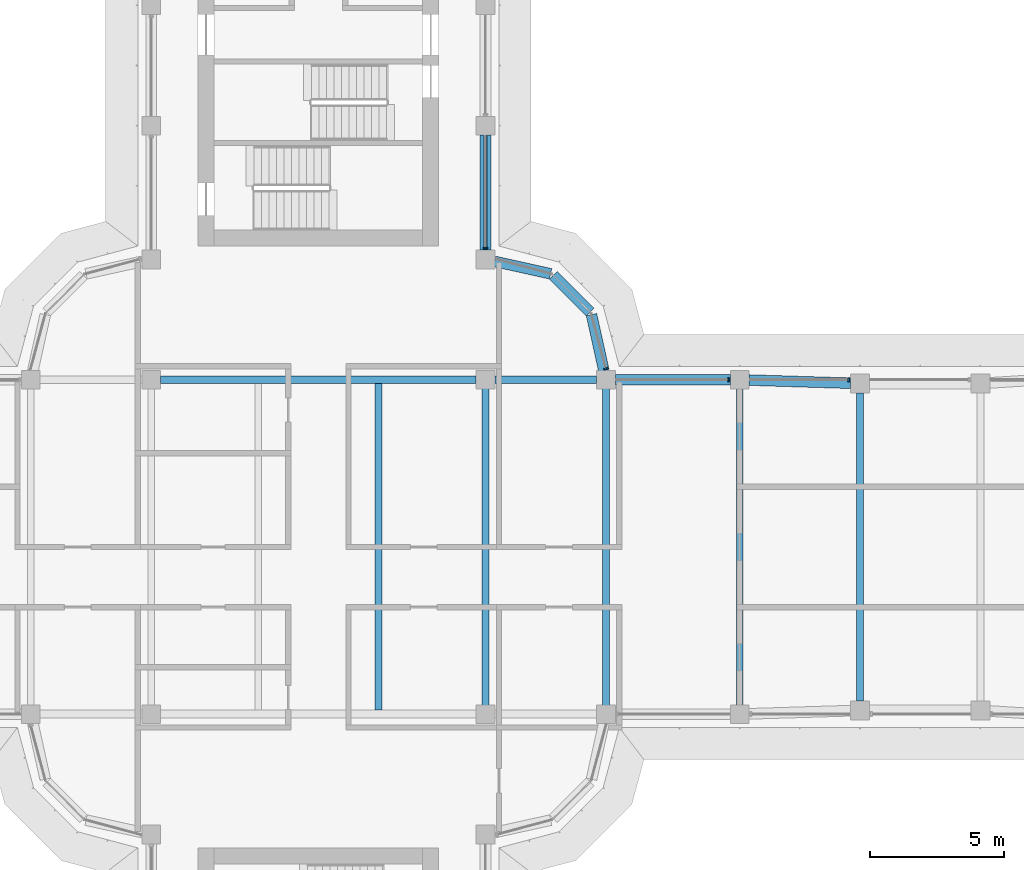
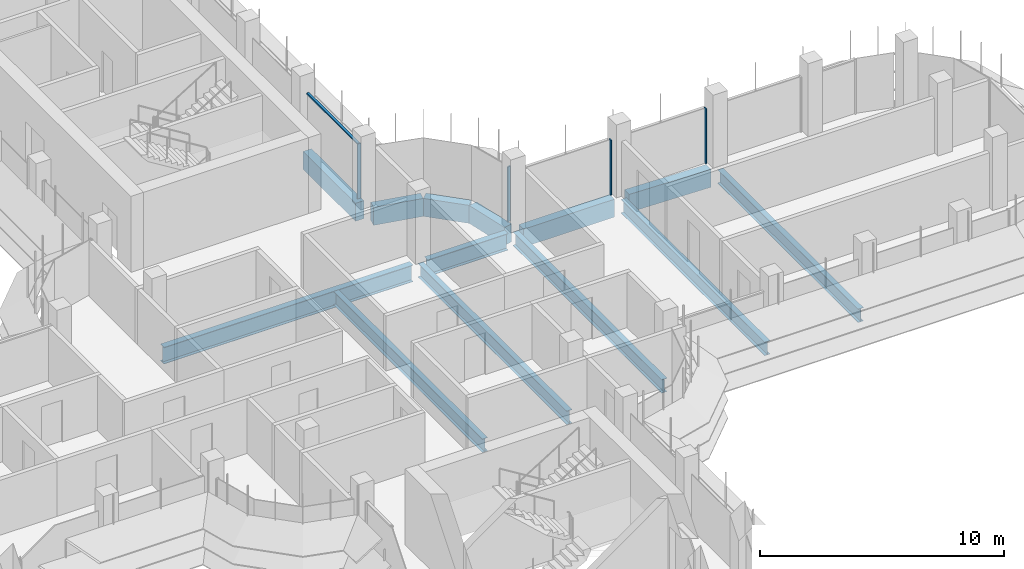
# One storey, part 8 of 19: 13 beams, 5 members, 3 elements without a shape of their own.
"""IFC4 building model written with IfcOpenShell, lengths in metres."""

from ifc_helpers import new_model, si_unit, direction, frame, origin, origin_2d, place, context, subcontext, project, spatial, polyline, rectangle, i_section, outline, extrude, source, transform, mapped, material, material_profile, profile_set, type_object, element, aggregate, save


model = new_model("IFC4")

# Units and contexts
model_context = context("Model", 3, precision=1e-05, world=origin(), true_north=direction((0.0, 1.0)))
body_context = subcontext(model_context, "Body", "Model", "MODEL_VIEW")
ifc_project = project(units=[si_unit("LENGTHUNIT", "METRE"), si_unit("AREAUNIT", "SQUARE_METRE"), si_unit("VOLUMEUNIT", "CUBIC_METRE"), si_unit("PLANEANGLEUNIT", "RADIAN"), si_unit("MASSUNIT", "GRAM", prefix="KILO")], contexts=[model_context])

# Site, building, storey
site_placement = place(None, origin())
site = spatial("IfcSite", under=ifc_project, at=site_placement, CompositionType="ELEMENT")
building_placement = place(site_placement, origin())
building = spatial("IfcBuilding", under=site, at=building_placement, Name="Zarbagh Exchange Tower", CompositionType="ELEMENT")
storey_placement = place(building_placement, frame((0.0, 0.0, 203.0)))
storey = spatial("IfcBuildingStorey", under=building, at=storey_placement, Name="L49", CompositionType="ELEMENT", Elevation=203.0)

# Beams
ifc_material_1 = material(Name="Steel ASTM A992 Gr 50", Category="steel")
ifc_material_profile_1 = material_profile(ifc_material_1, i_section(OverallWidth=0.25390625, OverallDepth=0.67822265625, WebThickness=0.01171875, FlangeThickness=0.016357421875, at=origin_2d()), Name="W27X84")
ifc_profile_set_1 = profile_set([ifc_material_profile_1], Name="Steel ASTM A992 Gr 50")
beam_type_1 = type_object("IfcBeamType", Name="Floor beam W27X84", PredefinedType="BEAM", material=ifc_profile_set_1)
for number, where, z_axis, x_axis, name in (
    (1, (2.25, -6.10400390625, -0.489013671875), (0.0, 1.0, 0.0), (-1.0, 0.0, 0.0), "Steel floor beam"),
    (2, (6.25, -6.10400390625, -0.489013671875), (0.0, 1.0, 0.0), (-1.0, 0.0, 0.0), "Steel floor beam"),
    (3, (10.75, -6.10400390625, -0.489013671875), (0.0, 1.0, 0.0), (-1.0, 0.0, 0.0), "Steel floor beam"),
):
    element("IfcBeam", number, at=place(storey_placement, frame(where, z_axis=z_axis, x_axis=x_axis)), inside=storey, type_object=beam_type_1, Name=name, PredefinedType="BEAM", context=body_context, shape_type="SweptSolid", body=[
        extrude(i_section(OverallWidth=0.25390625, OverallDepth=0.67822265625, WebThickness=0.01171875, FlangeThickness=0.016357421875, at=origin_2d()), origin(), (0.0, 0.0, 1.0), 12.2080078125),
    ])
beam_1_placement = place(storey_placement, frame((15.75, -5.89990234375, -0.489013671875), z_axis=(0.0, 1.0, 0.0), x_axis=(-1.0, 0.0, 0.0)))
element("IfcBeam", 4, at=beam_1_placement, inside=storey, type_object=beam_type_1, Name="Steel floor beam", PredefinedType="BEAM", context=body_context, shape_type="SweptSolid", body=[
    extrude(i_section(OverallWidth=0.25390625, OverallDepth=0.67822265625, WebThickness=0.01171875, FlangeThickness=0.016357421875, at=origin_2d()), origin(), (0.0, 0.0, 1.0), 11.7998046875),
])
beam_2_placement = place(storey_placement, frame((20.25, -5.760009765625, -0.489013671875), z_axis=(0.0, 1.0, 0.0), x_axis=(-1.0, 0.0, 0.0)))
element("IfcBeam", 5, at=beam_2_placement, inside=storey, type_object=beam_type_1, Name="Steel floor beam", PredefinedType="BEAM", context=body_context, shape_type="SweptSolid", body=[
    extrude(i_section(OverallWidth=0.25390625, OverallDepth=0.67822265625, WebThickness=0.01171875, FlangeThickness=0.016357421875, at=origin_2d()), origin(), (0.0, 0.0, 1.0), 11.52001953125),
])
ifc_material_profile_2 = material_profile(ifc_material_1, i_section(OverallWidth=0.2919921875, OverallDepth=0.835693359375, WebThickness=0.013916015625, FlangeThickness=0.018798828125, at=origin_2d()), Name="W33X118")
ifc_profile_set_2 = profile_set([ifc_material_profile_2], Name="Steel ASTM A992 Gr 50")
beam_type_2 = type_object("IfcBeamType", Name="Floor girder W33X118", PredefinedType="BEAM", material=ifc_profile_set_2)
beam_3_placement = place(storey_placement, frame((-5.89990234375, 6.25, -0.56787109375), z_axis=(1.0, 0.0, 0.0), x_axis=(0.0, 1.0, 0.0)))
element("IfcBeam", 6, at=beam_3_placement, inside=storey, type_object=beam_type_2, Name="Steel girder", PredefinedType="BEAM", context=body_context, shape_type="SweptSolid", body=[
    extrude(i_section(OverallWidth=0.2919921875, OverallDepth=0.835693359375, WebThickness=0.013916015625, FlangeThickness=0.018798828125, at=origin_2d()), origin(), (0.0, 0.0, 1.0), 11.7998046875),
])
beam_4_placement = place(storey_placement, frame((6.60009765625, 6.25, -0.56787109375), z_axis=(1.0, 0.0, 0.0), x_axis=(0.0, 1.0, 0.0)))
element("IfcBeam", 7, at=beam_4_placement, inside=storey, type_object=beam_type_2, Name="Steel girder", PredefinedType="BEAM", context=body_context, shape_type="SweptSolid", body=[
    extrude(i_section(OverallWidth=0.2919921875, OverallDepth=0.835693359375, WebThickness=0.013916015625, FlangeThickness=0.018798828125, at=origin_2d()), origin(), (0.0, 0.0, 1.0), 3.7998046875),
])
ifc_material_2 = material(Name="Concrete C50/60", Category="concrete")
ifc_material_profile_3 = material_profile(ifc_material_2, rectangle(XDim=0.39990234375, YDim=0.89990234375, at=origin_2d()), Name="RC spandrel beam 400 x 900 C50/60")
ifc_profile_set_3 = profile_set([ifc_material_profile_3], Name="Concrete C50/60")
beam_type_3 = type_object("IfcBeamType", Name="RC spandrel beam 400 x 900 C50/60", PredefinedType="SPANDREL", material=ifc_profile_set_3)
beam_5_placement = place(storey_placement, frame((6.25, 15.39990234375, -0.60009765625), z_axis=(0.0, -1.0, 0.0), x_axis=(1.0, 0.0, 0.0)))
element("IfcBeam", 8, at=beam_5_placement, inside=storey, type_object=beam_type_3, Name="RC spandrel beam", PredefinedType="SPANDREL", context=body_context, shape_type="SweptSolid", body=[
    extrude(rectangle(XDim=0.39990234375, YDim=0.89990234375, at=origin_2d()), origin(), (0.0, 0.0, 1.0), 4.2998046875),
])
beam_6_placement = place(storey_placement, frame((6.591796875, 10.67431640625, -0.60009765625), z_axis=(0.97639036545, -0.216013551096, 0.0), x_axis=(0.216013551096, 0.97639036545, 0.0)))
element("IfcBeam", 9, at=beam_6_placement, inside=storey, type_object=beam_type_3, Name="RC spandrel beam", PredefinedType="SPANDREL", context=body_context, shape_type="SweptSolid", body=[
    extrude(rectangle(XDim=0.39990234375, YDim=0.89990234375, at=origin_2d()), origin(), (0.0, 0.0, 1.0), 2.142822265625),
])
beam_7_placement = place(storey_placement, frame((8.782470703125, 10.15771484375, -0.60009765625), z_axis=(0.707106781187, -0.707106781187, 0.0), x_axis=(0.707106781187, 0.707106781187, 0.0)))
element("IfcBeam", 10, at=beam_7_placement, inside=storey, type_object=beam_type_3, Name="RC spandrel beam", PredefinedType="SPANDREL", context=body_context, shape_type="SweptSolid", body=[
    extrude(rectangle(XDim=0.39990234375, YDim=0.89990234375, at=origin_2d()), origin(), (0.0, 0.0, 1.0), 1.94482421875),
])
beam_8_placement = place(storey_placement, frame((10.21142578125, 8.68408203125, -0.60009765625), z_axis=(0.216013551096, -0.97639036545, 0.0), x_axis=(0.97639036545, 0.216013551096, 0.0)))
element("IfcBeam", 11, at=beam_8_placement, inside=storey, type_object=beam_type_3, Name="RC spandrel beam", PredefinedType="SPANDREL", context=body_context, shape_type="SweptSolid", body=[
    extrude(rectangle(XDim=0.39990234375, YDim=0.89990234375, at=origin_2d()), origin(), (0.0, 0.0, 1.0), 2.142822265625),
])
beam_9_placement = place(storey_placement, frame((11.10009765625, 6.25, -0.60009765625), z_axis=(1.0, 0.0, 0.0), x_axis=(0.0, 1.0, 0.0)))
element("IfcBeam", 12, at=beam_9_placement, inside=storey, type_object=beam_type_3, Name="RC spandrel beam", PredefinedType="SPANDREL", context=body_context, shape_type="SweptSolid", body=[
    extrude(rectangle(XDim=0.39990234375, YDim=0.89990234375, at=origin_2d()), origin(), (0.0, 0.0, 1.0), 4.2998046875),
])
beam_10_placement = place(storey_placement, frame((16.099853515625, 6.239013671875, -0.60009765625), z_axis=(0.999516950199, -0.031078389046, 0.0), x_axis=(0.031078389046, 0.999516950199, 0.0)))
element("IfcBeam", 13, at=beam_10_placement, inside=storey, type_object=beam_type_3, Name="RC spandrel beam", PredefinedType="SPANDREL", context=body_context, shape_type="SweptSolid", body=[
    extrude(rectangle(XDim=0.39990234375, YDim=0.89990234375, at=origin_2d()), origin(), (0.0, 0.0, 1.0), 3.80224609375),
])

# Curtain wall, members
ifc_material_3 = material(Name="Anodised aluminium frame and glazing", Category="aluminium")
curtain_wall_type = type_object("IfcCurtainWallType", Name="CWB Ribbon glazing, upper zones", PredefinedType="NOTDEFINED", material=ifc_material_3)
curtain_wall_1_placement = place(storey_placement, origin())
curtain_wall_1 = element("IfcCurtainWall", 14, at=curtain_wall_1_placement, inside=storey, type_object=curtain_wall_type, Name="CWB16 curtain wall", PredefinedType="NOTDEFINED")
ifc_material_4 = material(Name="Anodised aluminium frame", Category="aluminium")
member_type_1 = type_object("IfcMemberType", Name="MUB Mullion, anodised aluminium frame", PredefinedType="MULLION", material=ifc_material_4)
shared_shape_1 = source(origin(), body_context, "Body", "SweptSolid", [
    extrude(outline(polyline([(0.0, -0.080078125), (0.06005859375, -0.080078125), (0.06005859375, 0.080078125), (0.0, 0.080078125), (0.0, -0.080078125)])), origin(), (0.0, 0.0, 1.0), 2.75),
])
placement = place(storey_placement, origin())
member_1 = element("IfcMember", 15, at=placement, type_object=member_type_1, Name="CWB16 mullion 3.1", PredefinedType="MULLION", context=body_context, shape_type="MappedRepresentation", body=[
    mapped(shared_shape_1, transform((19.85986328125, 6.25, 0.0), x_axis=(-1.0, 0.0, 0.0), y_axis=(0.0, -1.0, 0.0), z_axis=(0.0, 0.0, 1.0))),
])
member_2 = element("IfcMember", 16, at=placement, type_object=member_type_1, Name="CWB16 mullion 4.1", PredefinedType="MULLION", context=body_context, shape_type="MappedRepresentation", body=[
    mapped(shared_shape_1, transform((15.35986328125, 6.25, 0.0), x_axis=(-1.0, 0.0, 0.0), y_axis=(0.0, -1.0, 0.0), z_axis=(0.0, 0.0, 1.0))),
])
aggregate(curtain_wall_1, [member_1, member_2])

# Curtain wall, member
curtain_wall_2_placement = place(storey_placement, origin())
curtain_wall_2 = element("IfcCurtainWall", 17, at=curtain_wall_2_placement, inside=storey, type_object=curtain_wall_type, Name="CWB17 curtain wall", PredefinedType="NOTDEFINED")
member_3 = element("IfcMember", 18, at=placement, type_object=member_type_1, Name="CWB17 mullion 1.1", PredefinedType="MULLION", context=body_context, shape_type="MappedRepresentation", body=[
    mapped(shared_shape_1, transform((10.76171875, 6.64013671875, 0.0), x_axis=(-0.258824779902, 0.965924289636, 0.0), y_axis=(-0.965924289636, -0.258824779902, 0.0), z_axis=(0.0, 0.0, 1.0))),
])
aggregate(curtain_wall_2, [member_3])

# Curtain wall, members
curtain_wall_3_placement = place(storey_placement, origin())
curtain_wall_3 = element("IfcCurtainWall", 19, at=curtain_wall_3_placement, inside=storey, type_object=curtain_wall_type, Name="CWB20 curtain wall", PredefinedType="NOTDEFINED")
member_4 = element("IfcMember", 20, at=placement, type_object=member_type_1, Name="CWB20 mullion 1.1", PredefinedType="MULLION", context=body_context, shape_type="MappedRepresentation", body=[
    mapped(shared_shape_1, transform((6.25, 11.14013671875, 0.0), x_axis=(0.0, 1.0, 0.0), y_axis=(-1.0, 0.0, 0.0), z_axis=(0.0, 0.0, 1.0))),
])
member_type_2 = type_object("IfcMemberType", Name="TRB Transom, anodised aluminium frame", PredefinedType="USERDEFINED", material=ifc_material_4)
shared_shape_2 = source(origin(), body_context, "Body", "SweptSolid", [
    extrude(outline(polyline([(-0.06005859375, -0.06005859375), (0.0, -0.06005859375), (0.0, 0.06005859375), (-0.06005859375, 0.06005859375), (-0.06005859375, -0.06005859375)])), origin(), (0.0, 0.0, 1.0), 4.159912109375),
])
member_5 = element("IfcMember", 21, at=placement, type_object=member_type_2, Name="CWB20 transom 1.1", ObjectType="TRANSOM", PredefinedType="USERDEFINED", context=body_context, shape_type="MappedRepresentation", body=[
    mapped(shared_shape_2, transform((6.25, 11.199951171875, 2.75), x_axis=(0.0, 0.0, 1.0), y_axis=(1.0, 0.0, 0.0), z_axis=(0.0, 1.0, 0.0))),
])
aggregate(curtain_wall_3, [member_4, member_5])

save(model, "model.ifc")
